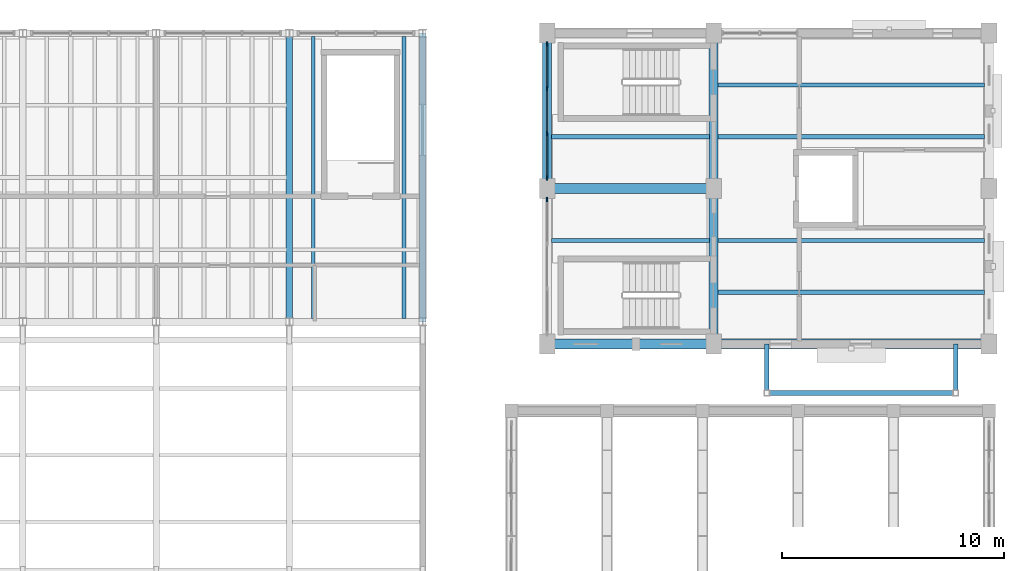
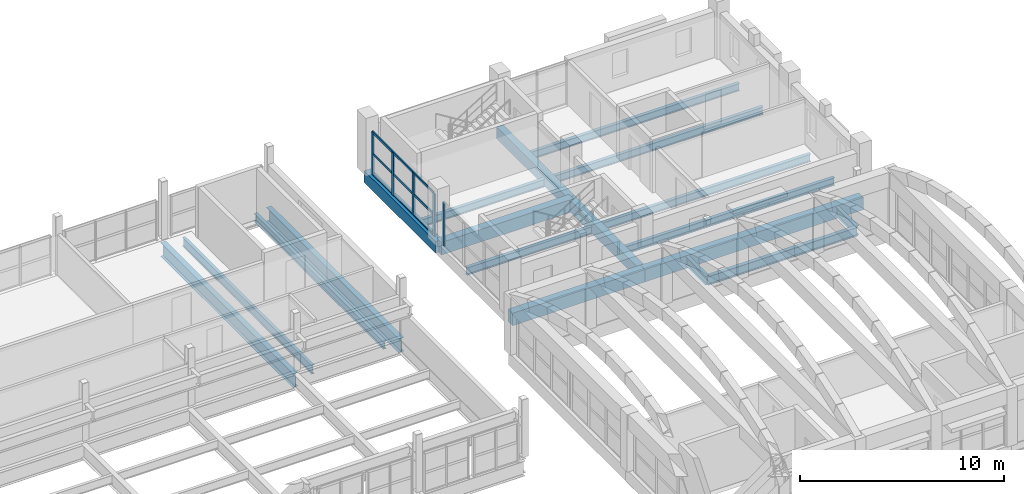
# One storey, part 44 of 77: 19 beams, 8 members, 2 elements without a shape of their own.
"""IFC4 building model written with IfcOpenShell, lengths in metres."""

from ifc_helpers import new_model, si_unit, direction, frame, origin, origin_2d, place, context, subcontext, project, spatial, rectangle, i_section, extrude, material, layer, layer_set, material_profile, profile_set, type_object, element, aggregate, save


model = new_model("IFC4")

# Units and contexts
model_context = context("Model", 3, precision=1e-05, world=origin(), true_north=direction((0.0, 1.0)))
body_context = subcontext(model_context, "Body", "Model", "MODEL_VIEW")
ifc_project = project(units=[si_unit("LENGTHUNIT", "METRE"), si_unit("AREAUNIT", "SQUARE_METRE"), si_unit("VOLUMEUNIT", "CUBIC_METRE"), si_unit("PLANEANGLEUNIT", "RADIAN"), si_unit("MASSUNIT", "GRAM", prefix="KILO")], contexts=[model_context])

# Site, building, storey
site_placement = place(None, origin())
site = spatial("IfcSite", under=ifc_project, at=site_placement, CompositionType="ELEMENT")
building_placement = place(site_placement, origin())
building = spatial("IfcBuilding", under=site, at=building_placement, Name="Trellovar Central Fire Station", CompositionType="ELEMENT")
storey_placement = place(building_placement, frame((0.0, 0.0, 5.85009765625)))
storey = spatial("IfcBuildingStorey", under=building, at=storey_placement, Name="L02", CompositionType="ELEMENT", Elevation=5.85009765625)

# Beams
ifc_material_1 = material(Name="Concrete C40/50", Category="concrete")
ifc_material_profile_1 = material_profile(ifc_material_1, rectangle(XDim=0.449951171875, YDim=0.75, at=origin_2d()), Name="RC450X750")
ifc_profile_set_1 = profile_set([ifc_material_profile_1], Name="Concrete C40/50")
beam_type_1 = type_object("IfcBeamType", Name="BM-G2", PredefinedType="BEAM", material=ifc_profile_set_1)
beam_1_placement = place(storey_placement, frame((141.10009765625, 59.0, -0.375), z_axis=(1.0, 0.0, 0.0), x_axis=(0.0, 1.0, 0.0)))
element("IfcBeam", 1, at=beam_1_placement, inside=storey, type_object=beam_type_1, Name="L02 beam G-2", PredefinedType="BEAM", context=body_context, shape_type="SweptSolid", body=[
    extrude(rectangle(XDim=0.449951171875, YDim=0.75, at=origin_2d()), origin(), (0.0, 0.0, 1.0), 7.5),
])
beam_2_placement = place(storey_placement, frame((148.60009765625, 59.0, -0.375), z_axis=(1.0, 0.0, 0.0), x_axis=(0.0, 1.0, 0.0)))
element("IfcBeam", 2, at=beam_2_placement, inside=storey, type_object=beam_type_1, Name="L02 beam G-2", PredefinedType="BEAM", context=body_context, shape_type="SweptSolid", body=[
    extrude(rectangle(XDim=0.449951171875, YDim=0.75, at=origin_2d()), origin(), (0.0, 0.0, 1.0), 12.39990234375),
])
beam_3_placement = place(storey_placement, frame((141.10009765625, 66.0, -0.375), z_axis=(1.0, 0.0, 0.0), x_axis=(0.0, 1.0, 0.0)))
element("IfcBeam", 3, at=beam_3_placement, inside=storey, type_object=beam_type_1, Name="L02 beam G-2", PredefinedType="BEAM", context=body_context, shape_type="SweptSolid", body=[
    extrude(rectangle(XDim=0.449951171875, YDim=0.75, at=origin_2d()), origin(), (0.0, 0.0, 1.0), 7.5),
])
ifc_material_2 = material(Name="Concrete C40/50", Category="concrete")
ifc_material_profile_2 = material_profile(ifc_material_2, rectangle(XDim=0.39990234375, YDim=0.699951171875, at=origin_2d()), Name="RC400X700")
ifc_profile_set_2 = profile_set([ifc_material_profile_2], Name="Concrete C40/50")
beam_type_2 = type_object("IfcBeamType", Name="BM-G3", PredefinedType="BEAM", material=ifc_profile_set_2)
for number, where, z_axis, x_axis, name in (
    (4, (141.10009765625, 66.0, -0.35009765625), (0.0, 1.0, 0.0), (-1.0, 0.0, 0.0), "L02 beam G-3"),
    (5, (148.60009765625, 59.0, -0.35009765625), (0.0, 1.0, 0.0), (-1.0, 0.0, 0.0), "L02 beam G-3"),
    (6, (148.60009765625, 66.0, -0.35009765625), (0.0, 1.0, 0.0), (-1.0, 0.0, 0.0), "L02 beam G-3"),
):
    element("IfcBeam", number, at=place(storey_placement, frame(where, z_axis=z_axis, x_axis=x_axis)), inside=storey, type_object=beam_type_2, Name=name, PredefinedType="BEAM", context=body_context, shape_type="SweptSolid", body=[
        extrude(rectangle(XDim=0.39990234375, YDim=0.699951171875, at=origin_2d()), origin(), (0.0, 0.0, 1.0), 7.0),
    ])
ifc_material_3 = material(Name="Steel ASTM A992 Grade 50", Category="steel")
ifc_material_profile_3 = material_profile(ifc_material_3, i_section(OverallWidth=0.2919921875, OverallDepth=0.8408203125, WebThickness=0.0146484375, FlangeThickness=0.021728515625, FilletRadius=0.020263671875, at=origin_2d()), Name="W33X130")
ifc_profile_set_3 = profile_set([ifc_material_profile_3], Name="Steel ASTM A992 Grade 50")
beam_type_3 = type_object("IfcBeamType", Name="BM-SW2", PredefinedType="BEAM", material=ifc_profile_set_3)
for number, where, z_axis, x_axis, name in (
    (7, (129.5, 60.0, -0.67041015625), (0.0, 1.0, 0.0), (-1.0, 0.0, 0.0), "L02 beam SB-2"),
    (8, (135.5, 60.0, -0.67041015625), (0.0, 1.0, 0.0), (-1.0, 0.0, 0.0), "L02 beam SB-2"),
):
    element("IfcBeam", number, at=place(storey_placement, frame(where, z_axis=z_axis, x_axis=x_axis)), inside=storey, type_object=beam_type_3, Name=name, PredefinedType="BEAM", context=body_context, shape_type="SweptSolid", body=[
        extrude(i_section(OverallWidth=0.2919921875, OverallDepth=0.8408203125, WebThickness=0.0146484375, FlangeThickness=0.021728515625, FilletRadius=0.020263671875, at=origin_2d()), origin(), (0.0, 0.0, 1.0), 13.0),
    ])
ifc_material_4 = material(Name="Steel ASTM A992 Grade 50", Category="steel")
ifc_material_profile_4 = material_profile(ifc_material_4, i_section(OverallWidth=0.209228515625, OverallDepth=0.533447265625, WebThickness=0.01025390625, FlangeThickness=0.015625, FilletRadius=0.013916015625, at=origin_2d()), Name="W21X62")
ifc_profile_set_4 = profile_set([ifc_material_profile_4], Name="Steel ASTM A992 Grade 50")
beam_type_4 = type_object("IfcBeamType", Name="BM-SW7", PredefinedType="BEAM", material=ifc_profile_set_4)
beam_4_placement = place(storey_placement, frame((151.0, 56.800048828125, -0.266845703125), z_axis=(1.0, 0.0, 0.0), x_axis=(0.0, 1.0, 0.0)))
element("IfcBeam", 9, at=beam_4_placement, inside=storey, type_object=beam_type_4, Name="V2 L02 balcony brace tie", PredefinedType="BEAM", context=body_context, shape_type="SweptSolid", body=[
    extrude(i_section(OverallWidth=0.209228515625, OverallDepth=0.533447265625, WebThickness=0.01025390625, FlangeThickness=0.015625, FilletRadius=0.013916015625, at=origin_2d()), origin(), (0.0, 0.0, 1.0), 8.5),
])
for number, where, z_axis, x_axis, name in (
    (10, (151.0, 56.800048828125, -0.266845703125), (0.0, 1.0, 0.0), (-1.0, 0.0, 0.0), "V2 L02 balcony outrigger tie"),
    (11, (159.5, 56.800048828125, -0.266845703125), (0.0, 1.0, 0.0), (-1.0, 0.0, 0.0), "V2 L02 balcony outrigger tie"),
):
    element("IfcBeam", number, at=place(storey_placement, frame(where, z_axis=z_axis, x_axis=x_axis)), inside=storey, type_object=beam_type_4, Name=name, PredefinedType="BEAM", context=body_context, shape_type="SweptSolid", body=[
        extrude(i_section(OverallWidth=0.209228515625, OverallDepth=0.533447265625, WebThickness=0.01025390625, FlangeThickness=0.015625, FilletRadius=0.013916015625, at=origin_2d()), origin(), (0.0, 0.0, 1.0), 2.199951171875),
    ])
ifc_material_5 = material(Name="Steel ASTM A992 Grade 50", Category="steel")
ifc_material_profile_5 = material_profile(ifc_material_5, i_section(OverallWidth=0.166015625, OverallDepth=0.529052734375, WebThickness=0.009765625, FlangeThickness=0.013671875, FilletRadius=0.013916015625, at=origin_2d()), Name="W21X50")
ifc_profile_set_5 = profile_set([ifc_material_profile_5], Name="Steel ASTM A992 Grade 50")
beam_type_5 = type_object("IfcBeamType", Name="BM-SW8", PredefinedType="JOIST", material=ifc_profile_set_5)
beam_5_placement = place(storey_placement, frame((130.580078125, 60.14990234375, -0.5146484375), z_axis=(0.0, 1.0, 0.0), x_axis=(-1.0, 0.0, 0.0)))
element("IfcBeam", 12, at=beam_5_placement, inside=storey, type_object=beam_type_5, Name="L02 secondary steel deck joist", PredefinedType="JOIST", context=body_context, shape_type="SweptSolid", body=[
    extrude(i_section(OverallWidth=0.166015625, OverallDepth=0.529052734375, WebThickness=0.009765625, FlangeThickness=0.013671875, FilletRadius=0.013916015625, at=origin_2d()), origin(), (0.0, 0.0, 1.0), 12.7001953125),
])
ifc_material_6 = material(Name="Steel ASTM A992 Grade 50", Category="steel")
ifc_material_profile_6 = material_profile(ifc_material_6, i_section(OverallWidth=0.1904296875, OverallDepth=0.457275390625, WebThickness=0.009033203125, FlangeThickness=0.014404296875, FilletRadius=0.0126953125, at=origin_2d()), Name="W18X50")
ifc_profile_set_6 = profile_set([ifc_material_profile_6], Name="Steel ASTM A992 Grade 50")
beam_type_6 = type_object("IfcBeamType", Name="BM-SW9", PredefinedType="JOIST", material=ifc_profile_set_6)
for number, where, z_axis, x_axis, name in (
    (13, (141.294921875, 63.666748046875, -0.478759765625), (1.0, 0.0, 0.0), (0.0, 1.0, 0.0), "L02 beam SB-9"),
    (14, (141.294921875, 68.333251953125, -0.478759765625), (1.0, 0.0, 0.0), (0.0, 1.0, 0.0), "L02 beam SB-9"),
):
    element("IfcBeam", number, at=place(storey_placement, frame(where, z_axis=z_axis, x_axis=x_axis)), inside=storey, type_object=beam_type_6, Name=name, PredefinedType="JOIST", context=body_context, shape_type="SweptSolid", body=[
        extrude(i_section(OverallWidth=0.1904296875, OverallDepth=0.457275390625, WebThickness=0.009033203125, FlangeThickness=0.014404296875, FilletRadius=0.0126953125, at=origin_2d()), origin(), (0.0, 0.0, 1.0), 7.110107421875),
    ])
for number, where, z_axis, x_axis, name in (
    (15, (148.794921875, 61.333251953125, -0.478759765625), (1.0, 0.0, 0.0), (0.0, 1.0, 0.0), "L02 beam SB-9"),
    (16, (148.794921875, 63.666748046875, -0.478759765625), (1.0, 0.0, 0.0), (0.0, 1.0, 0.0), "L02 beam SB-9"),
    (17, (148.794921875, 68.333251953125, -0.478759765625), (1.0, 0.0, 0.0), (0.0, 1.0, 0.0), "L02 beam SB-9"),
    (18, (148.794921875, 70.666748046875, -0.478759765625), (1.0, 0.0, 0.0), (0.0, 1.0, 0.0), "L02 beam SB-9"),
):
    element("IfcBeam", number, at=place(storey_placement, frame(where, z_axis=z_axis, x_axis=x_axis)), inside=storey, type_object=beam_type_6, Name=name, PredefinedType="JOIST", context=body_context, shape_type="SweptSolid", body=[
        extrude(i_section(OverallWidth=0.1904296875, OverallDepth=0.457275390625, WebThickness=0.009033203125, FlangeThickness=0.014404296875, FilletRadius=0.0126953125, at=origin_2d()), origin(), (0.0, 0.0, 1.0), 12.010009765625),
    ])
beam_6_placement = place(storey_placement, frame((134.659912109375, 60.14990234375, -0.478759765625), z_axis=(0.0, 1.0, 0.0), x_axis=(-1.0, 0.0, 0.0)))
element("IfcBeam", 19, at=beam_6_placement, inside=storey, type_object=beam_type_6, Name="L02 secondary steel deck joist", PredefinedType="JOIST", context=body_context, shape_type="SweptSolid", body=[
    extrude(i_section(OverallWidth=0.1904296875, OverallDepth=0.457275390625, WebThickness=0.009033203125, FlangeThickness=0.014404296875, FilletRadius=0.0126953125, at=origin_2d()), origin(), (0.0, 0.0, 1.0), 12.7001953125),
])

# Curtain wall, member
ifc_material_7 = material(Name="Thermally broken bronze anodized aluminum", Category="aluminium")
ifc_layer = layer(ifc_material_7, 0.159912109375)
ifc_layer_set = layer_set([ifc_layer], Name="Thermally broken bronze anodized aluminum")
curtain_wall_type = type_object("IfcCurtainWallType", Name="CW-07", PredefinedType="NOTDEFINED", material=ifc_layer_set)
curtain_wall_1_placement = place(storey_placement, origin())
curtain_wall_1 = element("IfcCurtainWall", 20, at=curtain_wall_1_placement, inside=storey, type_object=curtain_wall_type, Name="V2 L02 west drill yard curtain wall", PredefinedType="NOTDEFINED")
ifc_material_8 = material(Name="Thermally broken bronze anodized aluminum", Category="aluminium")
ifc_material_profile_7 = material_profile(ifc_material_8, rectangle(XDim=0.074951171875, YDim=0.199951171875, at=origin_2d()), Name="ALU75X200")
ifc_profile_set_7 = profile_set([ifc_material_profile_7], Name="Thermally broken bronze anodized aluminum")
member_type_1 = type_object("IfcMemberType", Name="CWM-1", PredefinedType="MULLION", material=ifc_profile_set_7)
member_1_placement = place(storey_placement, frame((141.10009765625, 65.52001953125, 0.0), z_axis=(0.0, 0.0, 1.0), x_axis=(1.0, 0.0, 0.0)))
member_1 = element("IfcMember", 21, at=member_1_placement, type_object=member_type_1, Name="CW3-L02-0157 mullion 4", PredefinedType="MULLION", context=body_context, shape_type="SweptSolid", body=[
    extrude(rectangle(XDim=0.074951171875, YDim=0.199951171875, at=origin_2d()), origin(), (0.0, 0.0, 1.0), 2.5498046875),
])
aggregate(curtain_wall_1, [member_1])

# Curtain wall, members
curtain_wall_2_placement = place(storey_placement, origin())
curtain_wall_2 = element("IfcCurtainWall", 22, at=curtain_wall_2_placement, inside=storey, type_object=curtain_wall_type, Name="V2 L02 west drill yard curtain wall", PredefinedType="NOTDEFINED")
member_2_placement = place(storey_placement, frame((141.10009765625, 66.47998046875, 0.0), z_axis=(0.0, 0.0, 1.0), x_axis=(1.0, 0.0, 0.0)))
member_2 = element("IfcMember", 23, at=member_2_placement, type_object=member_type_1, Name="CW3-L02-0158 mullion 1", PredefinedType="MULLION", context=body_context, shape_type="SweptSolid", body=[
    extrude(rectangle(XDim=0.074951171875, YDim=0.199951171875, at=origin_2d()), origin(), (0.0, 0.0, 1.0), 2.5498046875),
])
member_3_placement = place(storey_placement, frame((141.10009765625, 68.493408203125, 0.0), z_axis=(0.0, 0.0, 1.0), x_axis=(1.0, 0.0, 0.0)))
member_3 = element("IfcMember", 24, at=member_3_placement, type_object=member_type_1, Name="CW3-L02-0158 mullion 2", PredefinedType="MULLION", context=body_context, shape_type="SweptSolid", body=[
    extrude(rectangle(XDim=0.074951171875, YDim=0.199951171875, at=origin_2d()), origin(), (0.0, 0.0, 1.0), 2.5498046875),
])
member_4_placement = place(storey_placement, frame((141.10009765625, 70.506591796875, 0.0), z_axis=(0.0, 0.0, 1.0), x_axis=(1.0, 0.0, 0.0)))
member_4 = element("IfcMember", 25, at=member_4_placement, type_object=member_type_1, Name="CW3-L02-0158 mullion 3", PredefinedType="MULLION", context=body_context, shape_type="SweptSolid", body=[
    extrude(rectangle(XDim=0.074951171875, YDim=0.199951171875, at=origin_2d()), origin(), (0.0, 0.0, 1.0), 2.5498046875),
])
member_5_placement = place(storey_placement, frame((141.10009765625, 72.52001953125, 0.0), z_axis=(0.0, 0.0, 1.0), x_axis=(1.0, 0.0, 0.0)))
member_5 = element("IfcMember", 26, at=member_5_placement, type_object=member_type_1, Name="CW3-L02-0158 mullion 4", PredefinedType="MULLION", context=body_context, shape_type="SweptSolid", body=[
    extrude(rectangle(XDim=0.074951171875, YDim=0.199951171875, at=origin_2d()), origin(), (0.0, 0.0, 1.0), 2.5498046875),
])
ifc_material_9 = material(Name="Thermally broken bronze anodized aluminum", Category="aluminium")
ifc_material_profile_8 = material_profile(ifc_material_9, rectangle(XDim=0.06005859375, YDim=0.139892578125, at=origin_2d()), Name="ALU60X140")
ifc_profile_set_8 = profile_set([ifc_material_profile_8], Name="Thermally broken bronze anodized aluminum")
member_type_2 = type_object("IfcMemberType", Name="CWT-1", PredefinedType="USERDEFINED", material=ifc_profile_set_8)
member_6_placement = place(storey_placement, frame((141.10009765625, 66.47998046875, 0.0), z_axis=(0.0, 1.0, 0.0), x_axis=(-1.0, 0.0, 0.0)))
member_6 = element("IfcMember", 27, at=member_6_placement, type_object=member_type_2, Name="CW3-L02-0158 transom 1", ObjectType="TRANSOM", PredefinedType="USERDEFINED", context=body_context, shape_type="SweptSolid", body=[
    extrude(rectangle(XDim=0.06005859375, YDim=0.139892578125, at=origin_2d()), origin(), (0.0, 0.0, 1.0), 6.0400390625),
])
member_7_placement = place(storey_placement, frame((141.10009765625, 66.47998046875, 1.27490234375), z_axis=(0.0, 1.0, 0.0), x_axis=(-1.0, 0.0, 0.0)))
member_7 = element("IfcMember", 28, at=member_7_placement, type_object=member_type_2, Name="CW3-L02-0158 transom 2", ObjectType="TRANSOM", PredefinedType="USERDEFINED", context=body_context, shape_type="SweptSolid", body=[
    extrude(rectangle(XDim=0.06005859375, YDim=0.139892578125, at=origin_2d()), origin(), (0.0, 0.0, 1.0), 6.0400390625),
])
member_8_placement = place(storey_placement, frame((141.10009765625, 66.47998046875, 2.5498046875), z_axis=(0.0, 1.0, 0.0), x_axis=(-1.0, 0.0, 0.0)))
member_8 = element("IfcMember", 29, at=member_8_placement, type_object=member_type_2, Name="CW3-L02-0158 transom 3", ObjectType="TRANSOM", PredefinedType="USERDEFINED", context=body_context, shape_type="SweptSolid", body=[
    extrude(rectangle(XDim=0.06005859375, YDim=0.139892578125, at=origin_2d()), origin(), (0.0, 0.0, 1.0), 6.0400390625),
])
aggregate(curtain_wall_2, [member_2, member_3, member_4, member_5, member_6, member_7, member_8])

save(model, "model.ifc")
